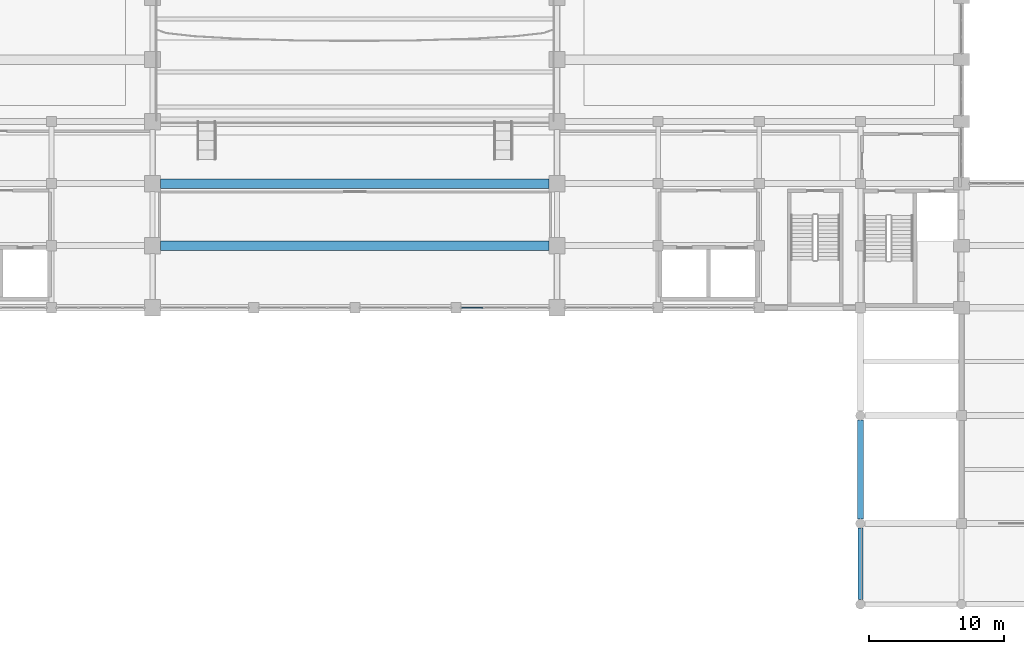
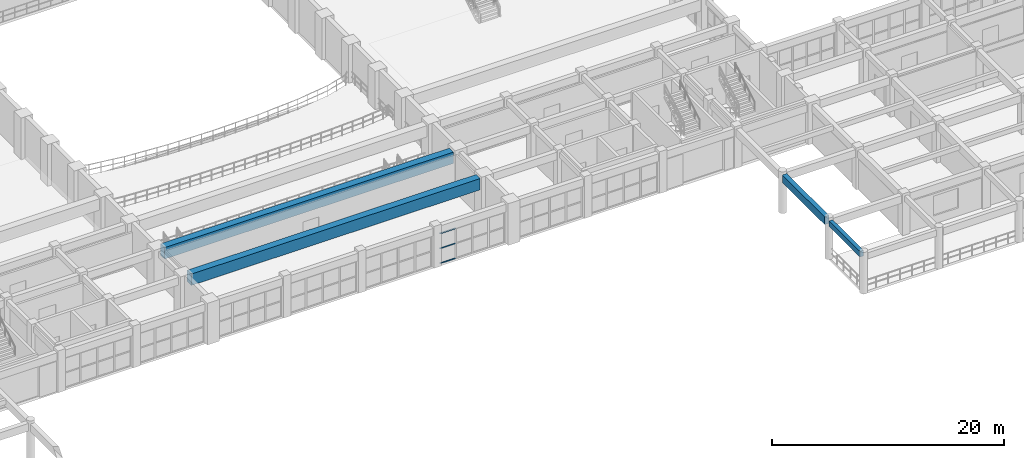
# One storey, part 39 of 116: 4 beams, 3 members, 1 element without a shape of its own.
"""IFC4 building model written with IfcOpenShell, lengths in metres."""

from ifc_helpers import new_model, si_unit, direction, frame, origin, origin_2d, place, context, subcontext, project, spatial, rectangle, hollow_rectangle, extrude, material, layer, layer_set, material_profile, profile_set, type_object, element, aggregate, save


model = new_model("IFC4")

# Units and contexts
model_context = context("Model", 3, precision=1e-05, world=origin(), true_north=direction((0.0, 1.0)))
body_context = subcontext(model_context, "Body", "Model", "MODEL_VIEW")
ifc_project = project(units=[si_unit("LENGTHUNIT", "METRE"), si_unit("AREAUNIT", "SQUARE_METRE"), si_unit("VOLUMEUNIT", "CUBIC_METRE"), si_unit("PLANEANGLEUNIT", "RADIAN"), si_unit("MASSUNIT", "GRAM", prefix="KILO")], contexts=[model_context])

# Site, building, storey
site_placement = place(None, origin())
site = spatial("IfcSite", under=ifc_project, at=site_placement, CompositionType="ELEMENT")
building_placement = place(site_placement, origin())
building = spatial("IfcBuilding", under=site, at=building_placement, Name="Muzn Square Opera House", CompositionType="ELEMENT")
storey_placement = place(building_placement, frame((0.0, 0.0, 5.39990234375)))
storey = spatial("IfcBuildingStorey", under=building, at=storey_placement, Name="L01", CompositionType="ELEMENT", Elevation=5.39990234375)

# Curtain wall, members
ifc_material_1 = material(Name="Low-E laminated acoustic double glazing", Category="glass")
ifc_layer = layer(ifc_material_1, 0.159912109375, Name="Low-E laminated acoustic double glazing", Category="glass")
ifc_layer_set = layer_set([ifc_layer], Name="Low-E laminated acoustic double glazing")
curtain_wall_type = type_object("IfcCurtainWallType", Name="Glazed Curtain Wall Forecourt 6525x3200", PredefinedType="USERDEFINED", material=ifc_layer_set)
curtain_wall_placement = place(storey_placement, origin())
curtain_wall = element("IfcCurtainWall", 1, at=curtain_wall_placement, inside=storey, type_object=curtain_wall_type, Name="Glazed Curtain Wall CW-L01-008", ObjectType="GLAZED CURTAIN WALL", PredefinedType="USERDEFINED")
ifc_material_2 = material(Name="Anodised bronze aluminium 6063-T6", Category="metal")
ifc_material_profile_1 = material_profile(ifc_material_2, hollow_rectangle(XDim=0.06005859375, YDim=0.1201171875, WallThickness=0.00390625, at=origin_2d()), Name="ALU 120x60x4", Category="metal")
ifc_profile_set_1 = profile_set([ifc_material_profile_1], Name="Anodised bronze aluminium 6063-T6")
member_type = type_object("IfcMemberType", Name="Curtain Wall Transom 120x60", PredefinedType="USERDEFINED", material=ifc_profile_set_1)
member_1_placement = place(storey_placement, frame((95.93505859375, 22.0, 0.030029296875), z_axis=(1.0, 0.0, 0.0), x_axis=(0.0, 1.0, 0.0)))
member_1 = element("IfcMember", 2, at=member_1_placement, type_object=member_type, Name="CW-FC-65x32 transom 1.1", ObjectType="TRANSOM", PredefinedType="USERDEFINED", context=body_context, shape_type="SweptSolid", body=[
    extrude(hollow_rectangle(XDim=0.06005859375, YDim=0.1201171875, WallThickness=0.00390625, at=origin_2d()), origin(), (0.0, 0.0, 1.0), 1.541259765625),
])
member_2_placement = place(storey_placement, frame((95.93505859375, 22.0, 1.60009765625), z_axis=(1.0, 0.0, 0.0), x_axis=(0.0, 1.0, 0.0)))
member_2 = element("IfcMember", 3, at=member_2_placement, type_object=member_type, Name="CW-FC-65x32 transom 1.2", ObjectType="TRANSOM", PredefinedType="USERDEFINED", context=body_context, shape_type="SweptSolid", body=[
    extrude(hollow_rectangle(XDim=0.06005859375, YDim=0.1201171875, WallThickness=0.00390625, at=origin_2d()), origin(), (0.0, 0.0, 1.0), 1.541259765625),
])
member_3_placement = place(storey_placement, frame((95.93505859375, 22.0, 3.170166015625), z_axis=(1.0, 0.0, 0.0), x_axis=(0.0, 1.0, 0.0)))
member_3 = element("IfcMember", 4, at=member_3_placement, type_object=member_type, Name="CW-FC-65x32 transom 1.3", ObjectType="TRANSOM", PredefinedType="USERDEFINED", context=body_context, shape_type="SweptSolid", body=[
    extrude(hollow_rectangle(XDim=0.06005859375, YDim=0.1201171875, WallThickness=0.00390625, at=origin_2d()), origin(), (0.0, 0.0, 1.0), 1.541259765625),
])
aggregate(curtain_wall, [member_1, member_2, member_3])

# Beams
ifc_material_3 = material(Name="Concrete C40/50", Category="concrete")
ifc_material_profile_2 = material_profile(ifc_material_3, rectangle(XDim=0.35009765625, YDim=0.60009765625, at=origin_2d()), Name="RCB 350x600", Category="concrete")
ifc_profile_set_2 = profile_set([ifc_material_profile_2], Name="Concrete C40/50")
beam_type_1 = type_object("IfcBeamType", Name="Primary Girder 350x600", PredefinedType="BEAM", material=ifc_profile_set_2)
beam_1_placement = place(storey_placement, frame((125.5, 0.342041015625, 3.820068359375), z_axis=(0.0, 1.0, 0.0), x_axis=(-1.0, 0.0, 0.0)))
element("IfcBeam", 5, at=beam_1_placement, inside=storey, type_object=beam_type_1, Name="Primary Girder BM-L01-BM-PG600-1255_3_1255_57-1686", PredefinedType="BEAM", context=body_context, shape_type="SweptSolid", body=[
    extrude(rectangle(XDim=0.35009765625, YDim=0.60009765625, at=origin_2d()), origin(), (0.0, 0.0, 1.0), 5.31591796875),
])
ifc_material_profile_3 = material_profile(ifc_material_3, rectangle(XDim=0.449951171875, YDim=0.800048828125, at=origin_2d()), Name="RCB 450x800", Category="concrete")
ifc_profile_set_3 = profile_set([ifc_material_profile_3], Name="Concrete C40/50")
beam_type_2 = type_object("IfcBeamType", Name="Primary Girder 450x800", PredefinedType="BEAM", material=ifc_profile_set_3)
beam_2_placement = place(storey_placement, frame((125.5, 6.342041015625, 3.72021484375), z_axis=(0.0, 1.0, 0.0), x_axis=(-1.0, 0.0, 0.0)))
element("IfcBeam", 6, at=beam_2_placement, inside=storey, type_object=beam_type_2, Name="Primary Girder BM-L01-BM-PG800-1255_63_1255_137-1687", PredefinedType="BEAM", context=body_context, shape_type="SweptSolid", body=[
    extrude(rectangle(XDim=0.449951171875, YDim=0.800048828125, at=origin_2d()), origin(), (0.0, 0.0, 1.0), 7.31591796875),
])
ifc_material_profile_4 = material_profile(ifc_material_3, rectangle(XDim=0.699951171875, YDim=1.199951171875, at=origin_2d()), Name="RCB 700x1200", Category="concrete")
ifc_profile_set_4 = profile_set([ifc_material_profile_4], Name="Concrete C40/50")
beam_type_3 = type_object("IfcBeamType", Name="Primary Girder 700x1200", PredefinedType="BEAM", material=ifc_profile_set_4)
for number, where, z_axis, x_axis, name in (
    (7, (73.592041015625, 26.60009765625, 3.52001953125), (1.0, 0.0, 0.0), (0.0, 1.0, 0.0), "Primary Girder BM-L01-BM-PG1200-736_266_1024_266-1303"),
    (8, (73.592041015625, 31.199951171875, 3.52001953125), (1.0, 0.0, 0.0), (0.0, 1.0, 0.0), "Primary Girder BM-L01-BM-PG1200-736_312_1024_312-1322"),
):
    element("IfcBeam", number, at=place(storey_placement, frame(where, z_axis=z_axis, x_axis=x_axis)), inside=storey, type_object=beam_type_3, Name=name, PredefinedType="BEAM", context=body_context, shape_type="SweptSolid", body=[
        extrude(rectangle(XDim=0.699951171875, YDim=1.199951171875, at=origin_2d()), origin(), (0.0, 0.0, 1.0), 28.81591796875),
    ])

save(model, "model.ifc")
